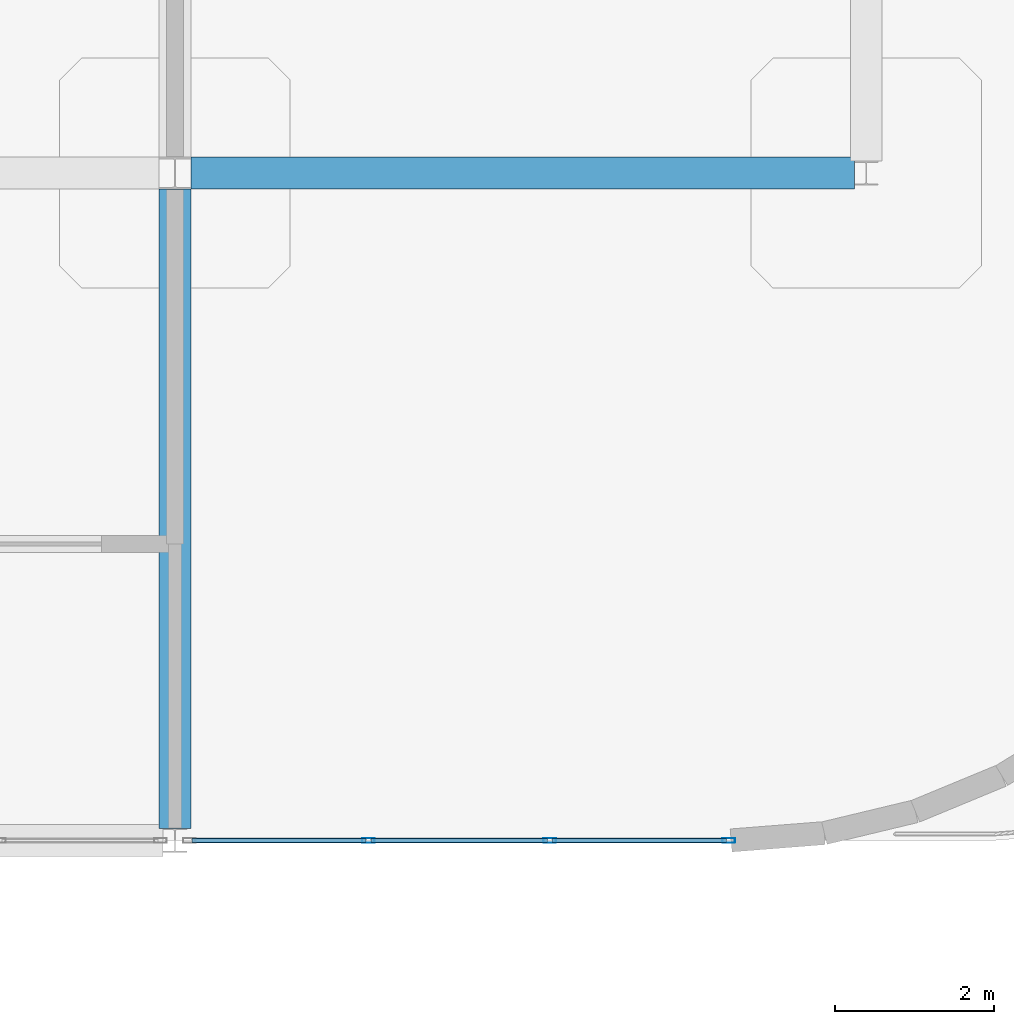
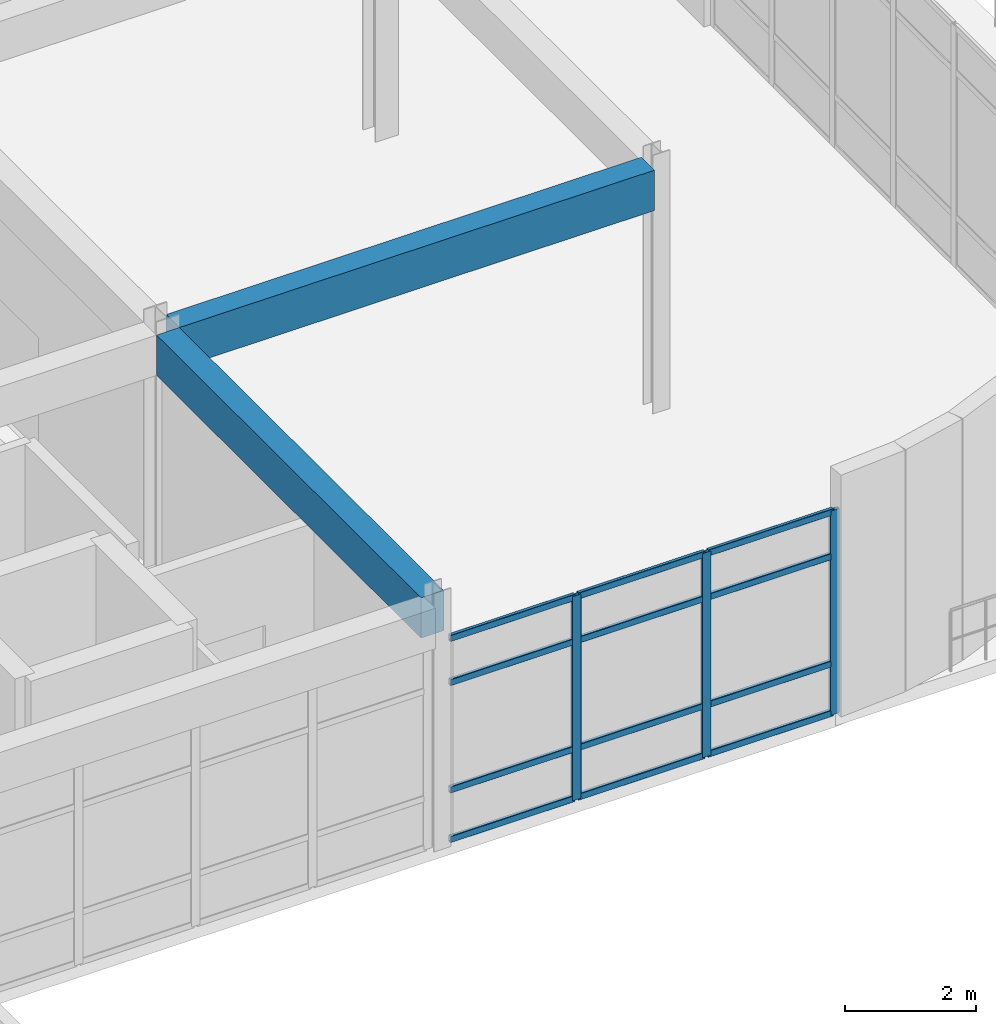
# One storey, part 23 of 41: 15 members, 2 beams, 1 element without a shape of its own.
"""IFC4 building model written with IfcOpenShell, lengths in metres."""

from ifc_helpers import new_model, si_unit, derived_unit, direction, frame, origin, origin_2d, place, context, subcontext, project, spatial, rectangle, hollow_rectangle, extrude, material, layer, layer_set, material_profile, profile_set, type_object, element, aggregate, save


model = new_model("IFC4")

# Units and contexts
model_context = context("Model", 3, precision=1e-05, world=origin(), true_north=direction((0.0, 1.0)))
body_context = subcontext(model_context, "Body", "Model", "MODEL_VIEW")
ifc_project = project(units=[si_unit("LENGTHUNIT", "METRE"), si_unit("AREAUNIT", "SQUARE_METRE"), si_unit("VOLUMEUNIT", "CUBIC_METRE"), si_unit("PLANEANGLEUNIT", "RADIAN"), si_unit("MASSUNIT", "GRAM", prefix="KILO"), derived_unit("THERMALTRANSMITTANCEUNIT", [(si_unit("MASSUNIT", "GRAM", prefix="KILO"), 1), (si_unit("TIMEUNIT", "SECOND"), -3), (si_unit("THERMODYNAMICTEMPERATUREUNIT", "KELVIN"), -1)])], contexts=[model_context])

# Site, building, storey
site_placement = place(None, origin())
site = spatial("IfcSite", under=ifc_project, at=site_placement, CompositionType="ELEMENT")
building_placement = place(site_placement, origin())
building = spatial("IfcBuilding", under=site, at=building_placement, Name="Qinzheling Arcade Emporium", CompositionType="ELEMENT")
storey_placement = place(building_placement, frame((0.0, 0.0, 36.300048828125)))
storey = spatial("IfcBuildingStorey", under=building, at=storey_placement, Name="L08", CompositionType="ELEMENT", Elevation=36.300048828125)

# Curtain wall, members
ifc_material_1 = material(Name="Anodised aluminium and solar-control double glazing", Category="aluminium")
ifc_layer = layer(ifc_material_1, 0.159912109375, Name="Anodised aluminium and solar-control double glazing", Category="aluminium")
ifc_layer_set = layer_set([ifc_layer], Name="Anodised aluminium and solar-control double glazing")
curtain_wall_type = type_object("IfcCurtainWallType", Name="Arcade Portal Glazed Curtain Wall", PredefinedType="NOTDEFINED", material=ifc_layer_set)
curtain_wall_placement = place(storey_placement, origin())
curtain_wall = element("IfcCurtainWall", 1, at=curtain_wall_placement, inside=storey, type_object=curtain_wall_type, Name="Curtain Wall CW-L08-444", PredefinedType="NOTDEFINED")
ifc_material_2 = material(Name="Anodised aluminium 6063-T6", Category="aluminium")
ifc_material_profile_1 = material_profile(ifc_material_2, hollow_rectangle(XDim=0.06005859375, YDim=0.159912109375, WallThickness=0.00390625, InnerFilletRadius=0.00390625, OuterFilletRadius=0.008056640625, at=origin_2d()), Name="RHS 160x60x4", Category="aluminium")
ifc_profile_set_1 = profile_set([ifc_material_profile_1], Name="Anodised aluminium 6063-T6")
member_type_1 = type_object("IfcMemberType", Name="Curtain Wall Mullion RHS160x60", PredefinedType="MULLION", material=ifc_profile_set_1)
member_1_placement = place(storey_placement, frame((120.070068359375, 73.800048828125, 0.0), z_axis=(0.0, 0.0, 1.0), x_axis=(0.0, -1.0, 0.0)))
member_1 = element("IfcMember", 2, at=member_1_placement, type_object=member_type_1, Name="CW05 mullion 1", PredefinedType="MULLION", context=body_context, shape_type="SweptSolid", body=[
    extrude(hollow_rectangle(XDim=0.06005859375, YDim=0.159912109375, WallThickness=0.00390625, InnerFilletRadius=0.00390625, OuterFilletRadius=0.008056640625, at=origin_2d()), origin(), (0.0, 0.0, 1.0), 3.794921875),
])
member_2_placement = place(storey_placement, frame((117.8173828125, 73.800048828125, 0.0), z_axis=(0.0, 0.0, 1.0), x_axis=(0.0, -1.0, 0.0)))
member_2 = element("IfcMember", 3, at=member_2_placement, type_object=member_type_1, Name="CW05 mullion 2", PredefinedType="MULLION", context=body_context, shape_type="SweptSolid", body=[
    extrude(hollow_rectangle(XDim=0.06005859375, YDim=0.159912109375, WallThickness=0.00390625, InnerFilletRadius=0.00390625, OuterFilletRadius=0.008056640625, at=origin_2d()), origin(), (0.0, 0.0, 1.0), 3.794921875),
])
member_3_placement = place(storey_placement, frame((115.53466796875, 73.800048828125, 0.0), z_axis=(0.0, 0.0, 1.0), x_axis=(0.0, -1.0, 0.0)))
member_3 = element("IfcMember", 4, at=member_3_placement, type_object=member_type_1, Name="CW05 mullion 3", PredefinedType="MULLION", context=body_context, shape_type="SweptSolid", body=[
    extrude(hollow_rectangle(XDim=0.06005859375, YDim=0.159912109375, WallThickness=0.00390625, InnerFilletRadius=0.00390625, OuterFilletRadius=0.008056640625, at=origin_2d()), origin(), (0.0, 0.0, 1.0), 3.794921875),
])
ifc_material_profile_2 = material_profile(ifc_material_2, hollow_rectangle(XDim=0.06005859375, YDim=0.1201171875, WallThickness=0.00390625, InnerFilletRadius=0.00390625, OuterFilletRadius=0.008056640625, at=origin_2d()), Name="RHS 120x60x4", Category="aluminium")
ifc_profile_set_2 = profile_set([ifc_material_profile_2], Name="Anodised aluminium 6063-T6")
member_type_2 = type_object("IfcMemberType", Name="Curtain Wall Transom RHS120x60", PredefinedType="USERDEFINED", material=ifc_profile_set_2)
member_4_placement = place(storey_placement, frame((120.0400390625, 73.800048828125, 0.030029296875), z_axis=(-1.0, 0.0, 0.0), x_axis=(0.0, -1.0, 0.0)))
member_4 = element("IfcMember", 5, at=member_4_placement, type_object=member_type_2, Name="CW05 transom 1.1", ObjectType="TRANSOM", PredefinedType="USERDEFINED", context=body_context, shape_type="SweptSolid", body=[
    extrude(hollow_rectangle(XDim=0.06005859375, YDim=0.1201171875, WallThickness=0.00390625, InnerFilletRadius=0.00390625, OuterFilletRadius=0.008056640625, at=origin_2d()), origin(), (0.0, 0.0, 1.0), 2.192626953125),
])
member_5_placement = place(storey_placement, frame((120.0400390625, 73.800048828125, 0.949951171875), z_axis=(-1.0, 0.0, 0.0), x_axis=(0.0, -1.0, 0.0)))
member_5 = element("IfcMember", 6, at=member_5_placement, type_object=member_type_2, Name="CW05 transom 1.2", ObjectType="TRANSOM", PredefinedType="USERDEFINED", context=body_context, shape_type="SweptSolid", body=[
    extrude(hollow_rectangle(XDim=0.06005859375, YDim=0.1201171875, WallThickness=0.00390625, InnerFilletRadius=0.00390625, OuterFilletRadius=0.008056640625, at=origin_2d()), origin(), (0.0, 0.0, 1.0), 2.192626953125),
])
member_6_placement = place(storey_placement, frame((120.0400390625, 73.800048828125, 2.945068359375), z_axis=(-1.0, 0.0, 0.0), x_axis=(0.0, -1.0, 0.0)))
member_6 = element("IfcMember", 7, at=member_6_placement, type_object=member_type_2, Name="CW05 transom 1.3", ObjectType="TRANSOM", PredefinedType="USERDEFINED", context=body_context, shape_type="SweptSolid", body=[
    extrude(hollow_rectangle(XDim=0.06005859375, YDim=0.1201171875, WallThickness=0.00390625, InnerFilletRadius=0.00390625, OuterFilletRadius=0.008056640625, at=origin_2d()), origin(), (0.0, 0.0, 1.0), 2.192626953125),
])
member_7_placement = place(storey_placement, frame((120.0400390625, 73.800048828125, 3.764892578125), z_axis=(-1.0, 0.0, 0.0), x_axis=(0.0, -1.0, 0.0)))
member_7 = element("IfcMember", 8, at=member_7_placement, type_object=member_type_2, Name="CW05 transom 1.4", ObjectType="TRANSOM", PredefinedType="USERDEFINED", context=body_context, shape_type="SweptSolid", body=[
    extrude(hollow_rectangle(XDim=0.06005859375, YDim=0.1201171875, WallThickness=0.00390625, InnerFilletRadius=0.00390625, OuterFilletRadius=0.008056640625, at=origin_2d()), origin(), (0.0, 0.0, 1.0), 2.192626953125),
])
member_8_placement = place(storey_placement, frame((117.787353515625, 73.800048828125, 0.030029296875), z_axis=(-1.0, 0.0, 0.0), x_axis=(0.0, -1.0, 0.0)))
member_8 = element("IfcMember", 9, at=member_8_placement, type_object=member_type_2, Name="CW05 transom 2.1", ObjectType="TRANSOM", PredefinedType="USERDEFINED", context=body_context, shape_type="SweptSolid", body=[
    extrude(hollow_rectangle(XDim=0.06005859375, YDim=0.1201171875, WallThickness=0.00390625, InnerFilletRadius=0.00390625, OuterFilletRadius=0.008056640625, at=origin_2d()), origin(), (0.0, 0.0, 1.0), 2.22265625),
])
member_9_placement = place(storey_placement, frame((117.787353515625, 73.800048828125, 0.949951171875), z_axis=(-1.0, 0.0, 0.0), x_axis=(0.0, -1.0, 0.0)))
member_9 = element("IfcMember", 10, at=member_9_placement, type_object=member_type_2, Name="CW05 transom 2.2", ObjectType="TRANSOM", PredefinedType="USERDEFINED", context=body_context, shape_type="SweptSolid", body=[
    extrude(hollow_rectangle(XDim=0.06005859375, YDim=0.1201171875, WallThickness=0.00390625, InnerFilletRadius=0.00390625, OuterFilletRadius=0.008056640625, at=origin_2d()), origin(), (0.0, 0.0, 1.0), 2.22265625),
])
member_10_placement = place(storey_placement, frame((117.787353515625, 73.800048828125, 2.945068359375), z_axis=(-1.0, 0.0, 0.0), x_axis=(0.0, -1.0, 0.0)))
member_10 = element("IfcMember", 11, at=member_10_placement, type_object=member_type_2, Name="CW05 transom 2.3", ObjectType="TRANSOM", PredefinedType="USERDEFINED", context=body_context, shape_type="SweptSolid", body=[
    extrude(hollow_rectangle(XDim=0.06005859375, YDim=0.1201171875, WallThickness=0.00390625, InnerFilletRadius=0.00390625, OuterFilletRadius=0.008056640625, at=origin_2d()), origin(), (0.0, 0.0, 1.0), 2.22265625),
])
member_11_placement = place(storey_placement, frame((117.787353515625, 73.800048828125, 3.764892578125), z_axis=(-1.0, 0.0, 0.0), x_axis=(0.0, -1.0, 0.0)))
member_11 = element("IfcMember", 12, at=member_11_placement, type_object=member_type_2, Name="CW05 transom 2.4", ObjectType="TRANSOM", PredefinedType="USERDEFINED", context=body_context, shape_type="SweptSolid", body=[
    extrude(hollow_rectangle(XDim=0.06005859375, YDim=0.1201171875, WallThickness=0.00390625, InnerFilletRadius=0.00390625, OuterFilletRadius=0.008056640625, at=origin_2d()), origin(), (0.0, 0.0, 1.0), 2.22265625),
])
member_12_placement = place(storey_placement, frame((115.504638671875, 73.800048828125, 0.030029296875), z_axis=(-1.0, 0.0, 0.0), x_axis=(0.0, -1.0, 0.0)))
member_12 = element("IfcMember", 13, at=member_12_placement, type_object=member_type_2, Name="CW05 transom 3.1", ObjectType="TRANSOM", PredefinedType="USERDEFINED", context=body_context, shape_type="SweptSolid", body=[
    extrude(hollow_rectangle(XDim=0.06005859375, YDim=0.1201171875, WallThickness=0.00390625, InnerFilletRadius=0.00390625, OuterFilletRadius=0.008056640625, at=origin_2d()), origin(), (0.0, 0.0, 1.0), 2.192626953125),
])
member_13_placement = place(storey_placement, frame((115.504638671875, 73.800048828125, 0.949951171875), z_axis=(-1.0, 0.0, 0.0), x_axis=(0.0, -1.0, 0.0)))
member_13 = element("IfcMember", 14, at=member_13_placement, type_object=member_type_2, Name="CW05 transom 3.2", ObjectType="TRANSOM", PredefinedType="USERDEFINED", context=body_context, shape_type="SweptSolid", body=[
    extrude(hollow_rectangle(XDim=0.06005859375, YDim=0.1201171875, WallThickness=0.00390625, InnerFilletRadius=0.00390625, OuterFilletRadius=0.008056640625, at=origin_2d()), origin(), (0.0, 0.0, 1.0), 2.192626953125),
])
member_14_placement = place(storey_placement, frame((115.504638671875, 73.800048828125, 2.945068359375), z_axis=(-1.0, 0.0, 0.0), x_axis=(0.0, -1.0, 0.0)))
member_14 = element("IfcMember", 15, at=member_14_placement, type_object=member_type_2, Name="CW05 transom 3.3", ObjectType="TRANSOM", PredefinedType="USERDEFINED", context=body_context, shape_type="SweptSolid", body=[
    extrude(hollow_rectangle(XDim=0.06005859375, YDim=0.1201171875, WallThickness=0.00390625, InnerFilletRadius=0.00390625, OuterFilletRadius=0.008056640625, at=origin_2d()), origin(), (0.0, 0.0, 1.0), 2.192626953125),
])
member_15_placement = place(storey_placement, frame((115.504638671875, 73.800048828125, 3.764892578125), z_axis=(-1.0, 0.0, 0.0), x_axis=(0.0, -1.0, 0.0)))
member_15 = element("IfcMember", 16, at=member_15_placement, type_object=member_type_2, Name="CW05 transom 3.4", ObjectType="TRANSOM", PredefinedType="USERDEFINED", context=body_context, shape_type="SweptSolid", body=[
    extrude(hollow_rectangle(XDim=0.06005859375, YDim=0.1201171875, WallThickness=0.00390625, InnerFilletRadius=0.00390625, OuterFilletRadius=0.008056640625, at=origin_2d()), origin(), (0.0, 0.0, 1.0), 2.192626953125),
])
aggregate(curtain_wall, [member_1, member_2, member_3, member_4, member_5, member_6, member_7, member_8, member_9, member_10, member_11, member_12, member_13, member_14, member_15])

# Beams
ifc_material_3 = material(Name="Concrete C40", Category="concrete")
ifc_material_profile_3 = material_profile(ifc_material_3, rectangle(XDim=0.39990234375, YDim=0.75, at=origin_2d()), Name="RC 400x750", Category="concrete")
ifc_profile_set_3 = profile_set([ifc_material_profile_3], Name="Concrete C40")
beam_type = type_object("IfcBeamType", Name="RC Interior Tie Beam 400x750 C40", PredefinedType="BEAM", material=ifc_profile_set_3)
beam_1_placement = place(storey_placement, frame((113.300048828125, 82.199951171875, 4.18505859375), z_axis=(1.0, 0.0, 0.0), x_axis=(0.0, 1.0, 0.0)))
element("IfcBeam", 17, at=beam_1_placement, inside=storey, type_object=beam_type, Name="Beam BM-L08-X-K-14", PredefinedType="BEAM", context=body_context, shape_type="SweptSolid", body=[
    extrude(rectangle(XDim=0.39990234375, YDim=0.75, at=origin_2d()), origin(), (0.0, 0.0, 1.0), 8.349853515625),
])
beam_2_placement = place(storey_placement, frame((113.10009765625, 73.949951171875, 4.18505859375), z_axis=(0.0, 1.0, 0.0), x_axis=(-1.0, 0.0, 0.0)))
element("IfcBeam", 18, at=beam_2_placement, inside=storey, type_object=beam_type, Name="Beam BM-L08-Y-14-J", PredefinedType="BEAM", context=body_context, shape_type="SweptSolid", body=[
    extrude(rectangle(XDim=0.39990234375, YDim=0.75, at=origin_2d()), origin(), (0.0, 0.0, 1.0), 8.050048828125),
])

save(model, "model.ifc")
